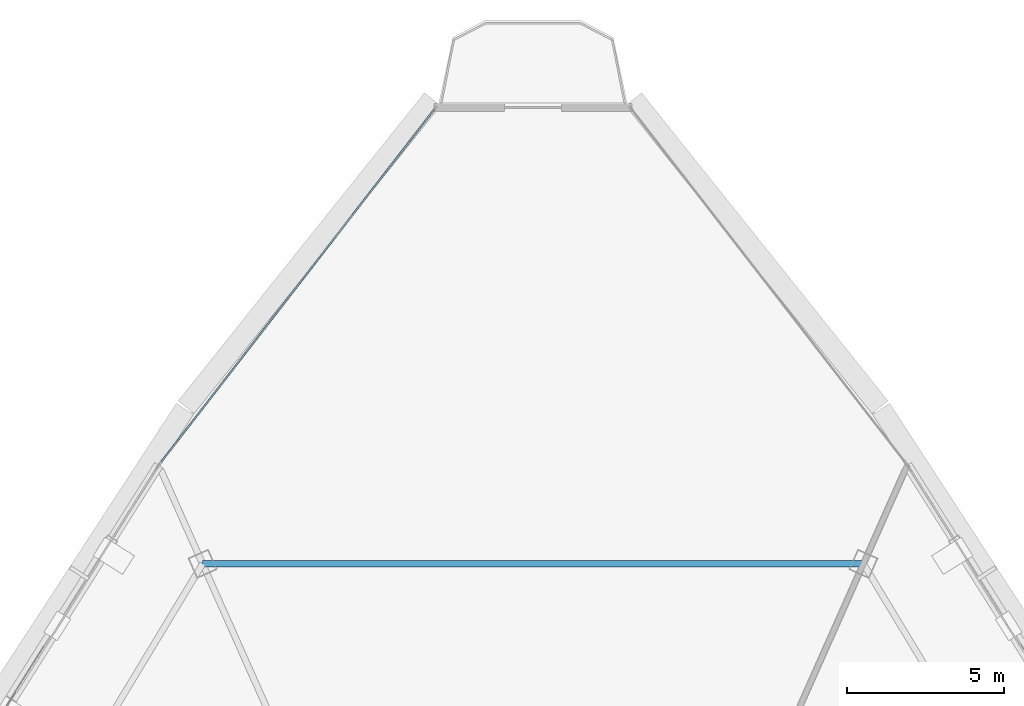
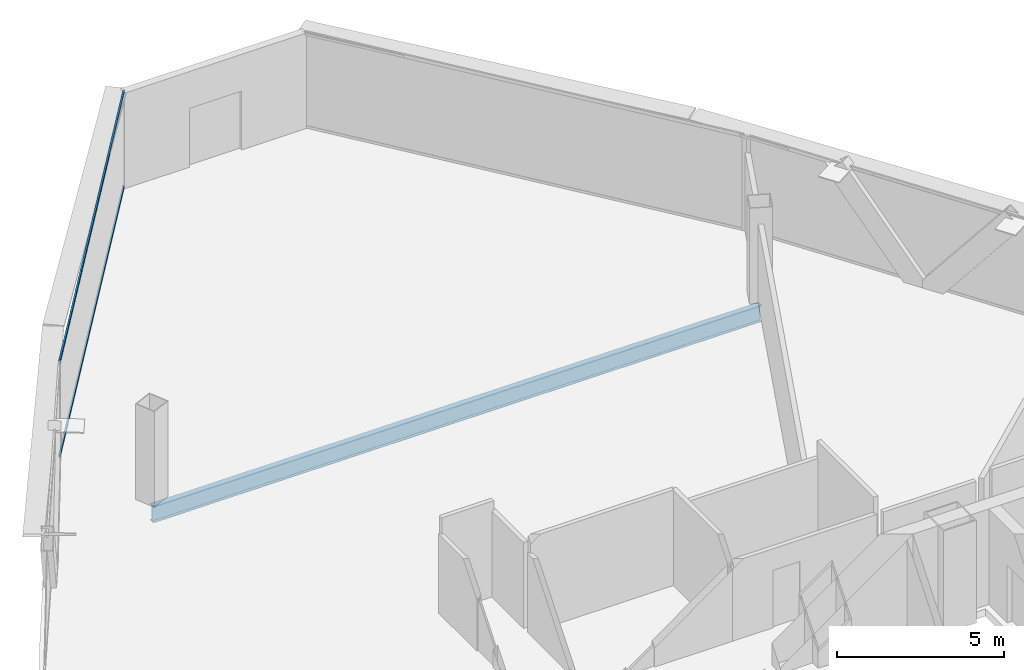
# One storey, part 17 of 27: 2 members, 1 beam, 1 element without a shape of its own.
"""IFC4 building model written with IfcOpenShell, lengths in metres."""

from ifc_helpers import new_model, si_unit, direction, frame, origin, origin_2d, place, context, subcontext, project, spatial, hollow_rectangle, i_section, extrude, source, transform, mapped, material, layer, layer_set, material_profile, profile_set, type_object, element, aggregate, save


model = new_model("IFC4")

# Units and contexts
model_context = context("Model", 3, precision=1e-05, world=origin(), true_north=direction((0.0, 1.0)))
body_context = subcontext(model_context, "Body", "Model", "MODEL_VIEW")
ifc_project = project(units=[si_unit("LENGTHUNIT", "METRE"), si_unit("AREAUNIT", "SQUARE_METRE"), si_unit("VOLUMEUNIT", "CUBIC_METRE"), si_unit("PLANEANGLEUNIT", "RADIAN"), si_unit("MASSUNIT", "GRAM", prefix="KILO"), si_unit("THERMODYNAMICTEMPERATUREUNIT", "KELVIN"), si_unit("POWERUNIT", "WATT")], contexts=[model_context])

# Site, building, storey
site_placement = place(None, origin())
site = spatial("IfcSite", under=ifc_project, at=site_placement, CompositionType="ELEMENT")
building_placement = place(site_placement, origin())
building = spatial("IfcBuilding", under=site, at=building_placement, Name="Yunzhuo Pagoda Commons", CompositionType="ELEMENT")
storey_placement = place(building_placement, frame((0.0, 0.0, 344.260009765625)))
storey = spatial("IfcBuildingStorey", under=building, at=storey_placement, Name="L86", CompositionType="ELEMENT", Elevation=344.260009765625)

# Beam
ifc_material_1 = material(Name="Structural steel Q355B", Category="steel")
ifc_material_profile_1 = material_profile(ifc_material_1, i_section(OverallWidth=0.199951171875, OverallDepth=0.60009765625, WebThickness=0.010986328125, FlangeThickness=0.01708984375, at=origin_2d()), Name="Structural steel Q355B")
ifc_profile_set_1 = profile_set([ifc_material_profile_1], Name="Structural steel Q355B")
beam_type = type_object("IfcBeamType", Name="B-RG3 Beam HN 600x200x11x17", PredefinedType="BEAM", material=ifc_profile_set_1)
shared_shape_1 = source(origin(), body_context, "Body", "SweptSolid", [
    extrude(i_section(OverallWidth=0.199951171875, OverallDepth=0.60009765625, WebThickness=0.010986328125, FlangeThickness=0.01708984375, at=origin_2d()), origin(), (0.0, 0.0, 1.0), 20.99755859375),
])
beam_placement = place(storey_placement, frame((58.498779296875, 57.281005859375, -0.56005859375), z_axis=(-1.0, 0.0, 0.0), x_axis=(0.0, -1.0, 0.0)))
element("IfcBeam", 1, at=beam_placement, inside=storey, type_object=beam_type, Name="L86 column-ring beam 8", PredefinedType="BEAM", context=body_context, shape_type="MappedRepresentation", body=[
    mapped(shared_shape_1, transform((0.0, 0.0, 0.0), scale=1.0)),
])

# Curtain wall, members
ifc_material_2 = material(Name="Anodized aluminium 6063-T6", Category="aluminium")
ifc_layer = layer(ifc_material_2, 0.139892578125)
ifc_layer_set = layer_set([ifc_layer], Name="Anodized aluminium 6063-T6")
curtain_wall_type = type_object("IfcCurtainWallType", Name="CW-HI High-Zone Ribbon Curtain Wall", PredefinedType="NOTDEFINED", material=ifc_layer_set)
curtain_wall_placement = place(storey_placement, origin())
curtain_wall = element("IfcCurtainWall", 2, at=curtain_wall_placement, inside=storey, type_object=curtain_wall_type, Name="L86 curtain wall CW-L86-F3B1", PredefinedType="NOTDEFINED")
ifc_material_profile_2 = material_profile(ifc_material_2, hollow_rectangle(XDim=0.054931640625, YDim=0.1201171875, WallThickness=0.00341796875, at=origin_2d()), Name="Anodized aluminium 6063-T6")
ifc_profile_set_2 = profile_set([ifc_material_profile_2], Name="Anodized aluminium 6063-T6")
member_type = type_object("IfcMemberType", Name="CW-HI-T Transom RHS 120x55x3.5", PredefinedType="USERDEFINED", material=ifc_profile_set_2)
shared_shape_2 = source(origin(), body_context, "Body", "SweptSolid", [
    extrude(hollow_rectangle(XDim=0.054931640625, YDim=0.1201171875, WallThickness=0.00341796875, at=origin_2d()), origin(), (0.0, 0.0, 1.0), 14.18017578125),
])
member_1_placement = place(storey_placement, frame((44.871826171875, 71.73388671875, 0.027587890625), z_axis=(-0.612422141113, -0.790530910892, 0.0), x_axis=(0.790530910892, -0.612422141113, 0.0)))
member_1 = element("IfcMember", 3, at=member_1_placement, type_object=member_type, Name="CW transom 1.1", ObjectType="TRANSOM", PredefinedType="USERDEFINED", context=body_context, shape_type="MappedRepresentation", body=[
    mapped(shared_shape_2, transform((0.0, 0.0, 0.0), scale=1.0)),
])
member_2_placement = place(storey_placement, frame((44.871826171875, 71.73388671875, 3.46240234375), z_axis=(-0.612422141113, -0.790530910892, 0.0), x_axis=(0.790530910892, -0.612422141113, 0.0)))
member_2 = element("IfcMember", 4, at=member_2_placement, type_object=member_type, Name="CW transom 1.2", ObjectType="TRANSOM", PredefinedType="USERDEFINED", context=body_context, shape_type="MappedRepresentation", body=[
    mapped(shared_shape_2, transform((0.0, 0.0, 0.0), scale=1.0)),
])
aggregate(curtain_wall, [member_1, member_2])

save(model, "model.ifc")
